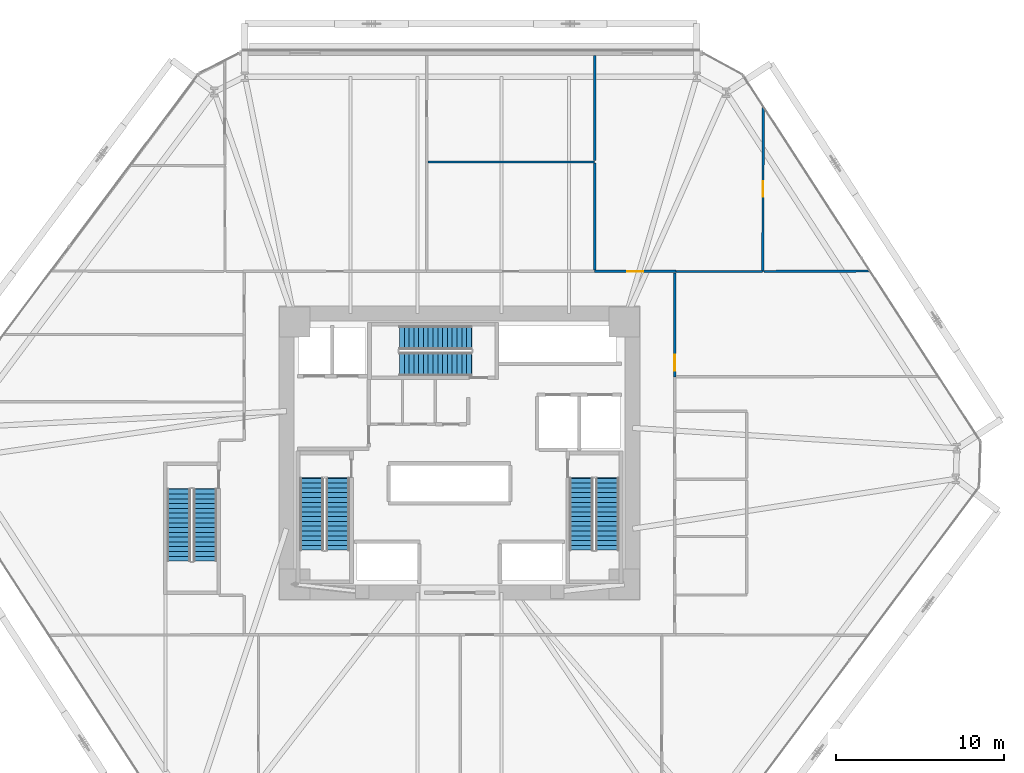
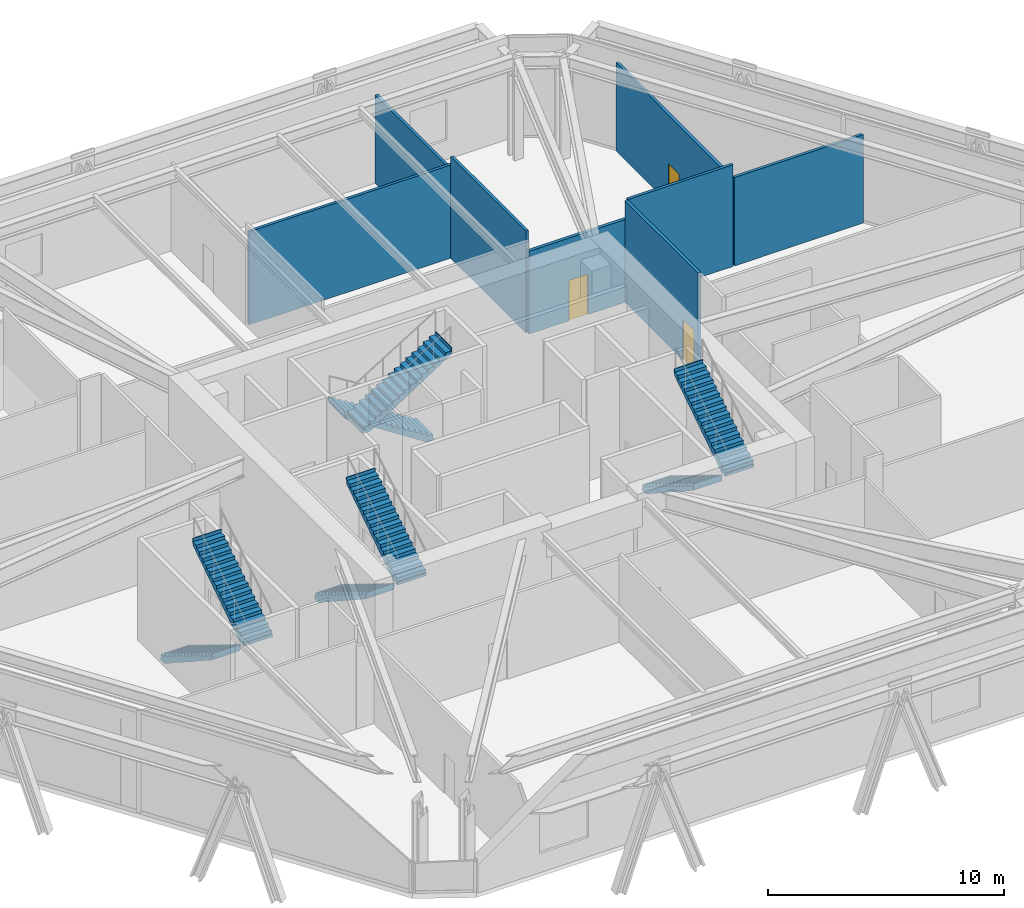
# One storey, part 20 of 23: 8 stair flights, 8 walls, 3 doors, 3 openings, 4 elements without a shape of their own.
"""IFC4 building model written with IfcOpenShell, lengths in metres."""

from ifc_helpers import new_model, si_unit, direction, frame, frame_2d, origin, place, context, subcontext, project, spatial, polyline, rectangle, outline, extrude, source, transform, mapped, material, layer, layer_set, type_object, type_shapes, element, fill, aggregate, save


model = new_model("IFC4")

# Units and contexts
model_context = context("Model", 3, precision=1e-05, world=origin(), true_north=direction((0.0, 1.0)))
body_context = subcontext(model_context, "Body", "Model", "MODEL_VIEW")
ifc_project = project(units=[si_unit("LENGTHUNIT", "METRE"), si_unit("AREAUNIT", "SQUARE_METRE"), si_unit("VOLUMEUNIT", "CUBIC_METRE"), si_unit("PLANEANGLEUNIT", "RADIAN"), si_unit("MASSUNIT", "GRAM", prefix="KILO")], contexts=[model_context])

# Site, building, storey
site_placement = place(None, origin())
site = spatial("IfcSite", under=ifc_project, at=site_placement, CompositionType="ELEMENT")
building_placement = place(site_placement, origin())
building = spatial("IfcBuilding", under=site, at=building_placement, Name="Durnholm Broadcast Tower", CompositionType="ELEMENT")
storey_placement = place(building_placement, frame((0.0, 0.0, 21.199951171875)))
storey = spatial("IfcBuildingStorey", under=building, at=storey_placement, Name="L04", CompositionType="ELEMENT", Elevation=21.199951171875)

# Walls
ifc_material_1 = material(Name="Gypsum Metal Stud Partition", Category="concrete")
ifc_layer_1 = layer(ifc_material_1, 0.135009765625)
ifc_layer_set_1 = layer_set([ifc_layer_1], Name="Gypsum Metal Stud Partition")
wall_type_1 = type_object("IfcWallType", Name="WALL-PART-135", PredefinedType="PARTITIONING", material=ifc_layer_set_1)
wall_1_placement = place(storey_placement, frame((-1.888427734375, 17.324951171875, 0.0), z_axis=(0.0, 0.0, 1.0), x_axis=(1.0, 0.0, 0.0)))
element("IfcWall", 1, at=wall_1_placement, inside=storey, type_object=wall_type_1, Name="L04 room dividing partition 10.11", PredefinedType="PARTITIONING", context=body_context, shape_type="SweptSolid", body=[
    extrude(rectangle(XDim=9.928466796875, YDim=0.135009765625, at=frame_2d((4.96435546875, 0.0))), origin(), (0.0, 0.0, 1.0), 4.817626953125),
])
wall_2_placement = place(storey_placement, frame((8.0400390625, 17.25341796875, 0.0), z_axis=(0.0, 0.0, 1.0), x_axis=(0.0, -1.0, 0.0)))
element("IfcWall", 2, at=wall_2_placement, inside=storey, type_object=wall_type_1, Name="L04 room dividing partition 10.12", PredefinedType="PARTITIONING", context=body_context, shape_type="SweptSolid", body=[
    extrude(rectangle(XDim=6.364501953125, YDim=0.135009765625, at=frame_2d((3.18212890625, 0.0))), origin(), (0.0, 0.0, 1.0), 5.26513671875),
])
wall_3_placement = place(storey_placement, frame((8.0400390625, 23.64501953125, 0.0), z_axis=(0.0, 0.0, 1.0), x_axis=(0.0, -1.0, 0.0)))
element("IfcWall", 3, at=wall_3_placement, inside=storey, type_object=wall_type_1, Name="L04 room dividing partition 11.12", PredefinedType="PARTITIONING", context=body_context, shape_type="SweptSolid", body=[
    extrude(rectangle(XDim=6.24853515625, YDim=0.135009765625, at=frame_2d((3.124267578125, 0.0))), origin(), (0.0, 0.0, 1.0), 4.57421875),
])

# Wall, opening, door
wall_4_placement = place(storey_placement, frame((18.073486328125, 20.620361328125, 0.0), z_axis=(0.0, 0.0, 1.0), x_axis=(-0.003409382171, -0.99999418804, 0.0)))
wall_4 = element("IfcWall", 4, at=wall_4_placement, inside=storey, type_object=wall_type_1, Name="L04 room dividing partition 12.13", PredefinedType="PARTITIONING", context=body_context, shape_type="SweptSolid", body=[
    extrude(rectangle(XDim=9.810302734375, YDim=0.135009765625, at=frame_2d((4.9052734375, 0.0))), origin(), (0.0, 0.0, 1.0), 4.57421875),
])
opening_1_placement = place(wall_4_placement, frame((4.455078125, 0.0, 0.0)))
opening_1 = element("IfcOpeningElement", 5, at=opening_1_placement, cuts=wall_4, Name="Opening DW-90L", PredefinedType="OPENING", context=body_context, shape_type="SweptSolid", body=[
    extrude(rectangle(XDim=0.89990234375, YDim=2.050048828125, at=frame_2d((0.449951171875, 1.02490234375))), frame((0.0, 0.07763671875, 0.0), z_axis=(0.0, -1.0, 0.0), x_axis=(1.0, 0.0, 0.0)), (0.0, 0.0, 1.0), 0.155029296875),
])
ifc_material_2 = material(Name="Laminate Restroom Door", Category="steel")
ifc_layer_2 = layer(ifc_material_2, 0.050048828125)
ifc_layer_set_2 = layer_set([ifc_layer_2], Name="Laminate Restroom Door")
door_type_1 = type_object("IfcDoorType", Name="DOOR-WC-900L", OperationType="NOTDEFINED", PredefinedType="DOOR", material=ifc_layer_set_2)
shared_shape_1 = source(origin(), body_context, "Body", "SweptSolid", [
    extrude(rectangle(XDim=0.89990234375, YDim=2.050048828125, at=frame_2d((0.449951171875, 1.02490234375))), frame((0.0, 0.02490234375, 0.0), z_axis=(0.0, -1.0, 0.0), x_axis=(1.0, 0.0, 0.0)), (0.0, 0.0, 1.0), 0.050048828125),
])
type_shapes(door_type_1, [shared_shape_1])
door_1_placement = place(opening_1_placement, origin())
door_1 = element("IfcDoor", 6, at=door_1_placement, inside=storey, type_object=door_type_1, Name="L04 Crew Dining Room connecting door", OperationType="SINGLE_SWING_LEFT", OverallHeight=2.050048828125, OverallWidth=0.89990234375, PredefinedType="DOOR", context=body_context, shape_type="MappedRepresentation", body=[
    mapped(shared_shape_1, transform((0.0, 0.0, 0.0), x_axis=(1.0, 0.0, 0.0), y_axis=(0.0, 1.0, 0.0), z_axis=(0.0, 0.0, 1.0), scale=1.0)),
])
fill(opening_1, door_1)

# Walls
wall_5_placement = place(storey_placement, frame((18.0400390625, 10.81005859375, 0.0), z_axis=(0.0, 0.0, 1.0), x_axis=(-1.0, 0.0, 0.0)))
element("IfcWall", 7, at=wall_5_placement, inside=storey, type_object=wall_type_1, Name="L04 room dividing partition 12.22", PredefinedType="PARTITIONING", context=body_context, shape_type="SweptSolid", body=[
    extrude(rectangle(XDim=5.150146484375, YDim=0.135009765625, at=frame_2d((2.5751953125, 0.0))), origin(), (0.0, 0.0, 1.0), 5.26513671875),
])
wall_6_placement = place(storey_placement, frame((24.421630859375, 10.831787109375, 0.0), z_axis=(0.0, 0.0, 1.0), x_axis=(-0.999994334762, -0.003366072395, 0.0)))
element("IfcWall", 8, at=wall_6_placement, inside=storey, type_object=wall_type_1, Name="L04 room dividing partition 13.22", PredefinedType="PARTITIONING", context=body_context, shape_type="SweptSolid", body=[
    extrude(rectangle(XDim=6.31005859375, YDim=0.135009765625, at=frame_2d((3.155029296875, 0.0))), origin(), (0.0, 0.0, 1.0), 4.57421875),
])

# Wall, opening, door
ifc_material_3 = material(Name="Acoustic Gypsum Stud Partition", Category="concrete")
ifc_layer_3 = layer(ifc_material_3, 0.14990234375)
ifc_layer_set_3 = layer_set([ifc_layer_3], Name="Acoustic Gypsum Stud Partition")
wall_type_2 = type_object("IfcWallType", Name="WALL-PART-150", PredefinedType="PARTITIONING", material=ifc_layer_set_3)
wall_7_placement = place(storey_placement, frame((12.889892578125, 10.81005859375, 0.0), z_axis=(0.0, 0.0, 1.0), x_axis=(-1.0, 0.0, 0.0)))
wall_7 = element("IfcWall", 9, at=wall_7_placement, inside=storey, type_object=wall_type_2, Name="L04 Technical Director Office corridor partition", PredefinedType="PARTITIONING", context=body_context, shape_type="SweptSolid", body=[
    extrude(rectangle(XDim=4.849853515625, YDim=0.14990234375, at=frame_2d((2.4248046875, 0.0))), origin(), (0.0, 0.0, 1.0), 4.28466796875),
])
opening_2_placement = place(wall_7_placement, frame((1.949951171875, 0.0, 0.0)))
opening_2 = element("IfcOpeningElement", 10, at=opening_2_placement, cuts=wall_7, Name="Opening DR-95L", PredefinedType="OPENING", context=body_context, shape_type="SweptSolid", body=[
    extrude(rectangle(XDim=0.949951171875, YDim=2.10009765625, at=frame_2d((0.47509765625, 1.050048828125))), frame((0.0, 0.0849609375, 0.0), z_axis=(0.0, -1.0, 0.0), x_axis=(1.0, 0.0, 0.0)), (0.0, 0.0, 1.0), 0.169921875),
])
ifc_material_4 = material(Name="Acoustic Oak Veneer Timber Door", Category="wood")
ifc_layer_4 = layer(ifc_material_4, 0.050048828125)
ifc_layer_set_4 = layer_set([ifc_layer_4], Name="Acoustic Oak Veneer Timber Door")
door_type_2 = type_object("IfcDoorType", Name="DOOR-RM-950L", OperationType="NOTDEFINED", PredefinedType="DOOR", material=ifc_layer_set_4)
shared_shape_2 = source(origin(), body_context, "Body", "SweptSolid", [
    extrude(rectangle(XDim=0.949951171875, YDim=2.10009765625, at=frame_2d((0.47509765625, 1.050048828125))), frame((0.0, 0.02490234375, 0.0), z_axis=(0.0, -1.0, 0.0), x_axis=(1.0, 0.0, 0.0)), (0.0, 0.0, 1.0), 0.050048828125),
])
type_shapes(door_type_2, [shared_shape_2])
door_2_placement = place(opening_2_placement, origin())
door_2 = element("IfcDoor", 11, at=door_2_placement, inside=storey, type_object=door_type_2, Name="L04 Technical Director Office entrance door", OperationType="SINGLE_SWING_LEFT", OverallHeight=2.10009765625, OverallWidth=0.949951171875, PredefinedType="DOOR", context=body_context, shape_type="MappedRepresentation", body=[
    mapped(shared_shape_2, transform((0.0, 0.0, 0.0), x_axis=(1.0, 0.0, 0.0), y_axis=(0.0, 1.0, 0.0), z_axis=(0.0, 0.0, 1.0), scale=1.0)),
])
fill(opening_2, door_2)

wall_8_placement = place(storey_placement, frame((12.81005859375, 4.5400390625, 0.0), z_axis=(0.0, 0.0, 1.0), x_axis=(0.0, 1.0, 0.0)))
wall_8 = element("IfcWall", 12, at=wall_8_placement, inside=storey, type_object=wall_type_2, Name="L04 Script Meeting Room corridor partition", PredefinedType="PARTITIONING", context=body_context, shape_type="SweptSolid", body=[
    extrude(rectangle(XDim=6.19091796875, YDim=0.14990234375, at=frame_2d((3.095458984375, 0.0))), origin(), (0.0, 0.0, 1.0), 5.26513671875),
])
opening_3_placement = place(wall_8_placement, frame((0.35009765625, 0.0, 0.0)))
opening_3 = element("IfcOpeningElement", 13, at=opening_3_placement, cuts=wall_8, Name="Opening DR-95R", PredefinedType="OPENING", context=body_context, shape_type="SweptSolid", body=[
    extrude(rectangle(XDim=0.949951171875, YDim=2.10009765625, at=frame_2d((0.47509765625, 1.050048828125))), frame((0.0, 0.0849609375, 0.0), z_axis=(0.0, -1.0, 0.0), x_axis=(1.0, 0.0, 0.0)), (0.0, 0.0, 1.0), 0.169921875),
])
ifc_layer_5 = layer(ifc_material_4, 0.050048828125)
ifc_layer_set_5 = layer_set([ifc_layer_5], Name="Acoustic Oak Veneer Timber Door")
door_type_3 = type_object("IfcDoorType", Name="DOOR-RM-950R", OperationType="NOTDEFINED", PredefinedType="DOOR", material=ifc_layer_set_5)
shared_shape_3 = source(origin(), body_context, "Body", "SweptSolid", [
    extrude(rectangle(XDim=0.949951171875, YDim=2.10009765625, at=frame_2d((0.47509765625, 1.050048828125))), frame((0.0, 0.02490234375, 0.0), z_axis=(0.0, -1.0, 0.0), x_axis=(1.0, 0.0, 0.0)), (0.0, 0.0, 1.0), 0.050048828125),
])
type_shapes(door_type_3, [shared_shape_3])
door_3_placement = place(opening_3_placement, origin())
door_3 = element("IfcDoor", 14, at=door_3_placement, inside=storey, type_object=door_type_3, Name="L04 Script Meeting Room entrance door", OperationType="SINGLE_SWING_RIGHT", OverallHeight=2.10009765625, OverallWidth=0.949951171875, PredefinedType="DOOR", context=body_context, shape_type="MappedRepresentation", body=[
    mapped(shared_shape_3, transform((0.0, 0.0, 0.0), x_axis=(1.0, 0.0, 0.0), y_axis=(0.0, 1.0, 0.0), z_axis=(0.0, 0.0, 1.0), scale=1.0)),
])
fill(opening_3, door_3)

# Stair, stair flights
ifc_material_5 = material(Name="Concrete C50/60", Category="concrete")
stair_type = type_object("IfcStairType", Name="STAIR-DL-32R1750", PredefinedType="HALF_TURN_STAIR", material=ifc_material_5)
stair_1_placement = place(storey_placement, origin())
stair_1 = element("IfcStair", 15, at=stair_1_placement, inside=storey, type_object=stair_type, Name="L04 ST-1", PredefinedType="HALF_TURN_STAIR")
stair_flight_type = type_object("IfcStairFlightType", Name="FLIGHT-DL-32R1750", PredefinedType="STRAIGHT", material=ifc_material_5)
stair_flight_1_placement = place(storey_placement, frame((-8.800048828125, -1.5, 0.0), z_axis=(0.0, 0.0, 1.0), x_axis=(0.0, -1.0, 0.0)))
stair_flight_1 = element("IfcStairFlight", 16, at=stair_flight_1_placement, type_object=stair_flight_type, Name="ST-1 flight 1", NumberOfRisers=16, NumberOfTreads=15, PredefinedType="STRAIGHT", RiserHeight=0.175, TreadLength=0.285, context=body_context, shape_type="SweptSolid", body=[
    extrude(outline(polyline([(-0.0400390625, -0.14990234375), (-0.0400390625, 0.0), (0.0, 0.0), (0.0, 0.175048828125), (0.284912109375, 0.175048828125), (0.284912109375, 0.35009765625), (0.570068359375, 0.35009765625), (0.570068359375, 0.52490234375), (0.85498046875, 0.52490234375), (0.85498046875, 0.699951171875), (1.139892578125, 0.699951171875), (1.139892578125, 0.875), (1.425048828125, 0.875), (1.425048828125, 1.050048828125), (1.7099609375, 1.050048828125), (1.7099609375, 1.22509765625), (1.9951171875, 1.22509765625), (1.9951171875, 1.39990234375), (2.280029296875, 1.39990234375), (2.280029296875, 1.574951171875), (2.56494140625, 1.574951171875), (2.56494140625, 1.75), (2.85009765625, 1.75), (2.85009765625, 1.925048828125), (3.135009765625, 1.925048828125), (3.135009765625, 2.10009765625), (3.419921875, 2.10009765625), (3.419921875, 2.27490234375), (3.705078125, 2.27490234375), (3.705078125, 2.449951171875), (3.989990234375, 2.449951171875), (3.989990234375, 2.625), (4.27490234375, 2.625), (4.27490234375, 2.800048828125), (4.31494140625, 2.800048828125), (4.31494140625, 2.650146484375), (4.27490234375, 2.448974609375), (0.286376953125, -0.14990234375), (-0.0400390625, -0.14990234375)])), frame((0.0, 0.699951171875, 0.0), z_axis=(0.0, -1.0, 0.0), x_axis=(1.0, 0.0, 0.0)), (0.0, 0.0, 1.0), 1.39990234375),
])
stair_flight_2_placement = place(storey_placement, frame((-7.239990234375, -5.77490234375, 2.800048828125), z_axis=(0.0, 0.0, 1.0), x_axis=(0.0, 1.0, 0.0)))
stair_flight_2 = element("IfcStairFlight", 17, at=stair_flight_2_placement, type_object=stair_flight_type, Name="ST-1 flight 2", NumberOfRisers=16, NumberOfTreads=15, PredefinedType="STRAIGHT", RiserHeight=0.175, TreadLength=0.285, context=body_context, shape_type="SweptSolid", body=[
    extrude(outline(polyline([(-0.0400390625, -0.14990234375), (-0.0400390625, 0.0), (0.0, 0.0), (0.0, 0.175048828125), (0.284912109375, 0.175048828125), (0.284912109375, 0.35009765625), (0.570068359375, 0.35009765625), (0.570068359375, 0.52490234375), (0.85498046875, 0.52490234375), (0.85498046875, 0.699951171875), (1.139892578125, 0.699951171875), (1.139892578125, 0.875), (1.425048828125, 0.875), (1.425048828125, 1.050048828125), (1.7099609375, 1.050048828125), (1.7099609375, 1.22509765625), (1.9951171875, 1.22509765625), (1.9951171875, 1.39990234375), (2.280029296875, 1.39990234375), (2.280029296875, 1.574951171875), (2.56494140625, 1.574951171875), (2.56494140625, 1.75), (2.85009765625, 1.75), (2.85009765625, 1.925048828125), (3.135009765625, 1.925048828125), (3.135009765625, 2.10009765625), (3.419921875, 2.10009765625), (3.419921875, 2.27490234375), (3.705078125, 2.27490234375), (3.705078125, 2.449951171875), (3.989990234375, 2.449951171875), (3.989990234375, 2.625), (4.27490234375, 2.625), (4.27490234375, 2.800048828125), (4.31494140625, 2.800048828125), (4.31494140625, 2.650146484375), (4.27490234375, 2.448974609375), (0.286376953125, -0.14990234375), (-0.0400390625, -0.14990234375)])), frame((0.0, 0.699951171875, 0.0), z_axis=(0.0, -1.0, 0.0), x_axis=(1.0, 0.0, 0.0)), (0.0, 0.0, 1.0), 1.39990234375),
])
aggregate(stair_1, [stair_flight_1, stair_flight_2])

stair_2_placement = place(storey_placement, origin())
stair_2 = element("IfcStair", 18, at=stair_2_placement, inside=storey, type_object=stair_type, Name="L04 ST-2", PredefinedType="HALF_TURN_STAIR")
stair_flight_3_placement = place(storey_placement, frame((7.239990234375, -1.5, 0.0), z_axis=(0.0, 0.0, 1.0), x_axis=(0.0, -1.0, 0.0)))
stair_flight_3 = element("IfcStairFlight", 19, at=stair_flight_3_placement, type_object=stair_flight_type, Name="ST-2 flight 1", NumberOfRisers=16, NumberOfTreads=15, PredefinedType="STRAIGHT", RiserHeight=0.175, TreadLength=0.285, context=body_context, shape_type="SweptSolid", body=[
    extrude(outline(polyline([(-0.0400390625, -0.14990234375), (-0.0400390625, 0.0), (0.0, 0.0), (0.0, 0.175048828125), (0.284912109375, 0.175048828125), (0.284912109375, 0.35009765625), (0.570068359375, 0.35009765625), (0.570068359375, 0.52490234375), (0.85498046875, 0.52490234375), (0.85498046875, 0.699951171875), (1.139892578125, 0.699951171875), (1.139892578125, 0.875), (1.425048828125, 0.875), (1.425048828125, 1.050048828125), (1.7099609375, 1.050048828125), (1.7099609375, 1.22509765625), (1.9951171875, 1.22509765625), (1.9951171875, 1.39990234375), (2.280029296875, 1.39990234375), (2.280029296875, 1.574951171875), (2.56494140625, 1.574951171875), (2.56494140625, 1.75), (2.85009765625, 1.75), (2.85009765625, 1.925048828125), (3.135009765625, 1.925048828125), (3.135009765625, 2.10009765625), (3.419921875, 2.10009765625), (3.419921875, 2.27490234375), (3.705078125, 2.27490234375), (3.705078125, 2.449951171875), (3.989990234375, 2.449951171875), (3.989990234375, 2.625), (4.27490234375, 2.625), (4.27490234375, 2.800048828125), (4.31494140625, 2.800048828125), (4.31494140625, 2.650146484375), (4.27490234375, 2.448974609375), (0.286376953125, -0.14990234375), (-0.0400390625, -0.14990234375)])), frame((0.0, 0.699951171875, 0.0), z_axis=(0.0, -1.0, 0.0), x_axis=(1.0, 0.0, 0.0)), (0.0, 0.0, 1.0), 1.39990234375),
])
stair_flight_4_placement = place(storey_placement, frame((8.800048828125, -5.77490234375, 2.800048828125), z_axis=(0.0, 0.0, 1.0), x_axis=(0.0, 1.0, 0.0)))
stair_flight_4 = element("IfcStairFlight", 20, at=stair_flight_4_placement, type_object=stair_flight_type, Name="ST-2 flight 2", NumberOfRisers=16, NumberOfTreads=15, PredefinedType="STRAIGHT", RiserHeight=0.175, TreadLength=0.285, context=body_context, shape_type="SweptSolid", body=[
    extrude(outline(polyline([(-0.0400390625, -0.14990234375), (-0.0400390625, 0.0), (0.0, 0.0), (0.0, 0.175048828125), (0.284912109375, 0.175048828125), (0.284912109375, 0.35009765625), (0.570068359375, 0.35009765625), (0.570068359375, 0.52490234375), (0.85498046875, 0.52490234375), (0.85498046875, 0.699951171875), (1.139892578125, 0.699951171875), (1.139892578125, 0.875), (1.425048828125, 0.875), (1.425048828125, 1.050048828125), (1.7099609375, 1.050048828125), (1.7099609375, 1.22509765625), (1.9951171875, 1.22509765625), (1.9951171875, 1.39990234375), (2.280029296875, 1.39990234375), (2.280029296875, 1.574951171875), (2.56494140625, 1.574951171875), (2.56494140625, 1.75), (2.85009765625, 1.75), (2.85009765625, 1.925048828125), (3.135009765625, 1.925048828125), (3.135009765625, 2.10009765625), (3.419921875, 2.10009765625), (3.419921875, 2.27490234375), (3.705078125, 2.27490234375), (3.705078125, 2.449951171875), (3.989990234375, 2.449951171875), (3.989990234375, 2.625), (4.27490234375, 2.625), (4.27490234375, 2.800048828125), (4.31494140625, 2.800048828125), (4.31494140625, 2.650146484375), (4.27490234375, 2.448974609375), (0.286376953125, -0.14990234375), (-0.0400390625, -0.14990234375)])), frame((0.0, 0.699951171875, 0.0), z_axis=(0.0, -1.0, 0.0), x_axis=(1.0, 0.0, 0.0)), (0.0, 0.0, 1.0), 1.39990234375),
])
aggregate(stair_2, [stair_flight_3, stair_flight_4])

stair_3_placement = place(storey_placement, origin())
stair_3 = element("IfcStair", 21, at=stair_3_placement, inside=storey, type_object=stair_type, Name="L04 ST-3", PredefinedType="HALF_TURN_STAIR")
stair_flight_5_placement = place(storey_placement, frame((0.699951171875, 6.860107421875, 0.0), z_axis=(0.0, 0.0, 1.0), x_axis=(-1.0, 0.0, 0.0)))
stair_flight_5 = element("IfcStairFlight", 22, at=stair_flight_5_placement, type_object=stair_flight_type, Name="ST-3 flight 1", NumberOfRisers=16, NumberOfTreads=15, PredefinedType="STRAIGHT", RiserHeight=0.175, TreadLength=0.285, context=body_context, shape_type="SweptSolid", body=[
    extrude(outline(polyline([(-0.0400390625, -0.14990234375), (-0.0400390625, 0.0), (0.0, 0.0), (0.0, 0.175048828125), (0.284912109375, 0.175048828125), (0.284912109375, 0.35009765625), (0.570068359375, 0.35009765625), (0.570068359375, 0.52490234375), (0.85498046875, 0.52490234375), (0.85498046875, 0.699951171875), (1.139892578125, 0.699951171875), (1.139892578125, 0.875), (1.425048828125, 0.875), (1.425048828125, 1.050048828125), (1.7099609375, 1.050048828125), (1.7099609375, 1.22509765625), (1.9951171875, 1.22509765625), (1.9951171875, 1.39990234375), (2.280029296875, 1.39990234375), (2.280029296875, 1.574951171875), (2.56494140625, 1.574951171875), (2.56494140625, 1.75), (2.85009765625, 1.75), (2.85009765625, 1.925048828125), (3.135009765625, 1.925048828125), (3.135009765625, 2.10009765625), (3.419921875, 2.10009765625), (3.419921875, 2.27490234375), (3.705078125, 2.27490234375), (3.705078125, 2.449951171875), (3.989990234375, 2.449951171875), (3.989990234375, 2.625), (4.27490234375, 2.625), (4.27490234375, 2.800048828125), (4.31494140625, 2.800048828125), (4.31494140625, 2.650146484375), (4.27490234375, 2.448974609375), (0.286376953125, -0.14990234375), (-0.0400390625, -0.14990234375)])), frame((0.0, 0.699951171875, 0.0), z_axis=(0.0, -1.0, 0.0), x_axis=(1.0, 0.0, 0.0)), (0.0, 0.0, 1.0), 1.39990234375),
])
stair_flight_6_placement = place(storey_placement, frame((-3.574951171875, 5.300048828125, 2.800048828125), z_axis=(0.0, 0.0, 1.0), x_axis=(1.0, 0.0, 0.0)))
stair_flight_6 = element("IfcStairFlight", 23, at=stair_flight_6_placement, type_object=stair_flight_type, Name="ST-3 flight 2", NumberOfRisers=16, NumberOfTreads=15, PredefinedType="STRAIGHT", RiserHeight=0.175, TreadLength=0.285, context=body_context, shape_type="SweptSolid", body=[
    extrude(outline(polyline([(-0.0400390625, -0.14990234375), (-0.0400390625, 0.0), (0.0, 0.0), (0.0, 0.175048828125), (0.284912109375, 0.175048828125), (0.284912109375, 0.35009765625), (0.570068359375, 0.35009765625), (0.570068359375, 0.52490234375), (0.85498046875, 0.52490234375), (0.85498046875, 0.699951171875), (1.139892578125, 0.699951171875), (1.139892578125, 0.875), (1.425048828125, 0.875), (1.425048828125, 1.050048828125), (1.7099609375, 1.050048828125), (1.7099609375, 1.22509765625), (1.9951171875, 1.22509765625), (1.9951171875, 1.39990234375), (2.280029296875, 1.39990234375), (2.280029296875, 1.574951171875), (2.56494140625, 1.574951171875), (2.56494140625, 1.75), (2.85009765625, 1.75), (2.85009765625, 1.925048828125), (3.135009765625, 1.925048828125), (3.135009765625, 2.10009765625), (3.419921875, 2.10009765625), (3.419921875, 2.27490234375), (3.705078125, 2.27490234375), (3.705078125, 2.449951171875), (3.989990234375, 2.449951171875), (3.989990234375, 2.625), (4.27490234375, 2.625), (4.27490234375, 2.800048828125), (4.31494140625, 2.800048828125), (4.31494140625, 2.650146484375), (4.27490234375, 2.448974609375), (0.286376953125, -0.14990234375), (-0.0400390625, -0.14990234375)])), frame((0.0, 0.699951171875, 0.0), z_axis=(0.0, -1.0, 0.0), x_axis=(1.0, 0.0, 0.0)), (0.0, 0.0, 1.0), 1.39990234375),
])
aggregate(stair_3, [stair_flight_5, stair_flight_6])

stair_4_placement = place(storey_placement, origin())
stair_4 = element("IfcStair", 24, at=stair_4_placement, inside=storey, type_object=stair_type, Name="L04 ST-4", PredefinedType="HALF_TURN_STAIR")
stair_flight_7_placement = place(storey_placement, frame((-16.699951171875, -2.14990234375, 0.0), z_axis=(0.0, 0.0, 1.0), x_axis=(0.0, -1.0, 0.0)))
stair_flight_7 = element("IfcStairFlight", 25, at=stair_flight_7_placement, type_object=stair_flight_type, Name="ST-4 flight 1", NumberOfRisers=16, NumberOfTreads=15, PredefinedType="STRAIGHT", RiserHeight=0.175, TreadLength=0.285, context=body_context, shape_type="SweptSolid", body=[
    extrude(outline(polyline([(-0.0400390625, -0.14990234375), (-0.0400390625, 0.0), (0.0, 0.0), (0.0, 0.175048828125), (0.284912109375, 0.175048828125), (0.284912109375, 0.35009765625), (0.570068359375, 0.35009765625), (0.570068359375, 0.52490234375), (0.85498046875, 0.52490234375), (0.85498046875, 0.699951171875), (1.139892578125, 0.699951171875), (1.139892578125, 0.875), (1.425048828125, 0.875), (1.425048828125, 1.050048828125), (1.7099609375, 1.050048828125), (1.7099609375, 1.22509765625), (1.9951171875, 1.22509765625), (1.9951171875, 1.39990234375), (2.280029296875, 1.39990234375), (2.280029296875, 1.574951171875), (2.56494140625, 1.574951171875), (2.56494140625, 1.75), (2.85009765625, 1.75), (2.85009765625, 1.925048828125), (3.135009765625, 1.925048828125), (3.135009765625, 2.10009765625), (3.419921875, 2.10009765625), (3.419921875, 2.27490234375), (3.705078125, 2.27490234375), (3.705078125, 2.449951171875), (3.989990234375, 2.449951171875), (3.989990234375, 2.625), (4.27490234375, 2.625), (4.27490234375, 2.800048828125), (4.31494140625, 2.800048828125), (4.31494140625, 2.650146484375), (4.27490234375, 2.448974609375), (0.286376953125, -0.14990234375), (-0.0400390625, -0.14990234375)])), frame((0.0, 0.699951171875, 0.0), z_axis=(0.0, -1.0, 0.0), x_axis=(1.0, 0.0, 0.0)), (0.0, 0.0, 1.0), 1.39990234375),
])
stair_flight_8_placement = place(storey_placement, frame((-15.139892578125, -6.425048828125, 2.800048828125), z_axis=(0.0, 0.0, 1.0), x_axis=(0.0, 1.0, 0.0)))
stair_flight_8 = element("IfcStairFlight", 26, at=stair_flight_8_placement, type_object=stair_flight_type, Name="ST-4 flight 2", NumberOfRisers=16, NumberOfTreads=15, PredefinedType="STRAIGHT", RiserHeight=0.175, TreadLength=0.285, context=body_context, shape_type="SweptSolid", body=[
    extrude(outline(polyline([(-0.0400390625, -0.14990234375), (-0.0400390625, 0.0), (0.0, 0.0), (0.0, 0.175048828125), (0.284912109375, 0.175048828125), (0.284912109375, 0.35009765625), (0.570068359375, 0.35009765625), (0.570068359375, 0.52490234375), (0.85498046875, 0.52490234375), (0.85498046875, 0.699951171875), (1.139892578125, 0.699951171875), (1.139892578125, 0.875), (1.425048828125, 0.875), (1.425048828125, 1.050048828125), (1.7099609375, 1.050048828125), (1.7099609375, 1.22509765625), (1.9951171875, 1.22509765625), (1.9951171875, 1.39990234375), (2.280029296875, 1.39990234375), (2.280029296875, 1.574951171875), (2.56494140625, 1.574951171875), (2.56494140625, 1.75), (2.85009765625, 1.75), (2.85009765625, 1.925048828125), (3.135009765625, 1.925048828125), (3.135009765625, 2.10009765625), (3.419921875, 2.10009765625), (3.419921875, 2.27490234375), (3.705078125, 2.27490234375), (3.705078125, 2.449951171875), (3.989990234375, 2.449951171875), (3.989990234375, 2.625), (4.27490234375, 2.625), (4.27490234375, 2.800048828125), (4.31494140625, 2.800048828125), (4.31494140625, 2.650146484375), (4.27490234375, 2.448974609375), (0.286376953125, -0.14990234375), (-0.0400390625, -0.14990234375)])), frame((0.0, 0.699951171875, 0.0), z_axis=(0.0, -1.0, 0.0), x_axis=(1.0, 0.0, 0.0)), (0.0, 0.0, 1.0), 1.39990234375),
])
aggregate(stair_4, [stair_flight_7, stair_flight_8])

save(model, "model.ifc")
